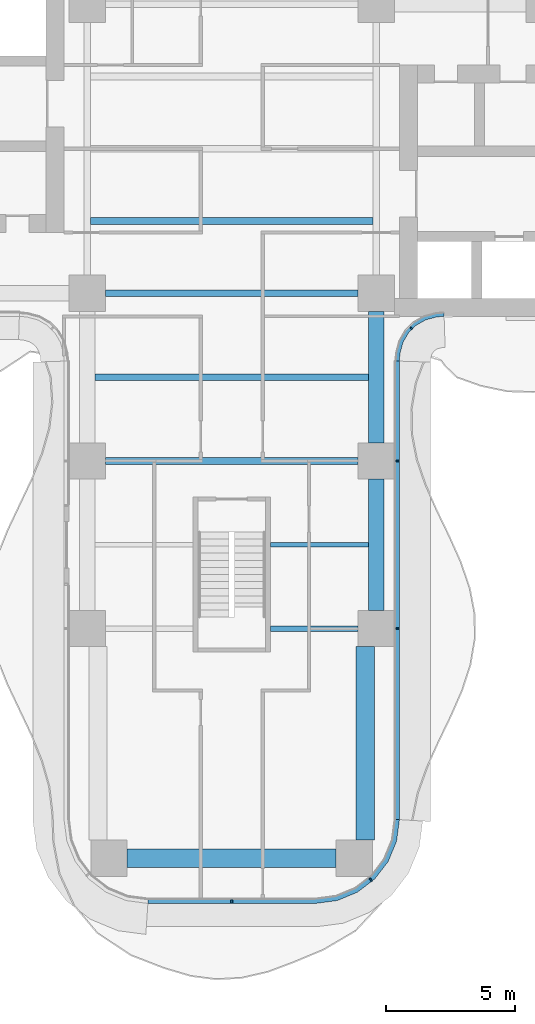
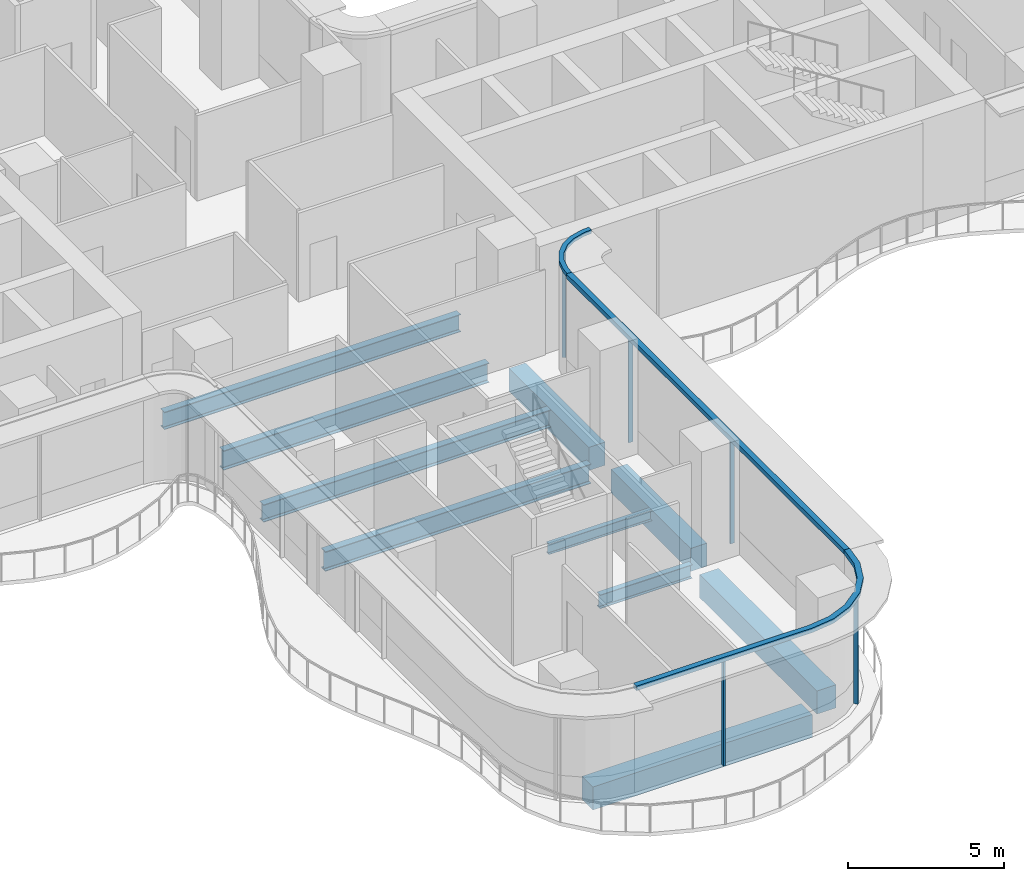
# One storey, part 5 of 22: 10 beams, 8 members, 3 elements without a shape of their own.
"""IFC4 building model written with IfcOpenShell, lengths in metres."""

from ifc_helpers import new_model, si_unit, direction, frame, origin, origin_2d, place, context, subcontext, project, spatial, polyline, rectangle, i_section, outline, extrude, source, transform, mapped, material, layer, layer_set, material_profile, profile_set, type_object, element, aggregate, save


model = new_model("IFC4")

# Units and contexts
model_context = context("Model", 3, precision=1e-05, world=origin(), true_north=direction((0.0, 1.0)))
body_context = subcontext(model_context, "Body", "Model", "MODEL_VIEW")
ifc_project = project(units=[si_unit("LENGTHUNIT", "METRE"), si_unit("AREAUNIT", "SQUARE_METRE"), si_unit("VOLUMEUNIT", "CUBIC_METRE"), si_unit("PLANEANGLEUNIT", "RADIAN"), si_unit("MASSUNIT", "GRAM", prefix="KILO")], contexts=[model_context])

# Site, building, storey
site_placement = place(None, origin())
site = spatial("IfcSite", under=ifc_project, at=site_placement, CompositionType="ELEMENT")
building_placement = place(site_placement, origin())
building = spatial("IfcBuilding", under=site, at=building_placement, Name="Trellis Farm Tower", CompositionType="ELEMENT")
storey_placement = place(building_placement, frame((0.0, 0.0, 65.5)))
storey = spatial("IfcBuildingStorey", under=building, at=storey_placement, Name="L13", CompositionType="ELEMENT", Elevation=65.5)

# Beams
ifc_material_1 = material(Name="Steel S355", Category="steel")
ifc_material_profile_1 = material_profile(ifc_material_1, i_section(OverallWidth=0.253662109375, OverallDepth=0.68359375, WebThickness=0.012451171875, FlangeThickness=0.021728515625, FilletRadius=0.01513671875, at=origin_2d()), Name="UB 686x254x140")
ifc_profile_set_1 = profile_set([ifc_material_profile_1], Name="Steel S355")
beam_type_1 = type_object("IfcBeamType", Name="UB 686x254x140 joist", PredefinedType="JOIST", material=ifc_profile_set_1)
shared_shape_1 = source(origin(), body_context, "Body", "SweptSolid", [
    extrude(i_section(OverallWidth=0.253662109375, OverallDepth=0.68359375, WebThickness=0.012451171875, FlangeThickness=0.021728515625, FilletRadius=0.01513671875, at=origin_2d()), origin(), (0.0, 0.0, 1.0), 10.93310546875),
])
beam_1_placement = place(storey_placement, frame((-5.466552734375, -2.800048828125, -0.591796875), z_axis=(1.0, 0.0, 0.0), x_axis=(0.0, 1.0, 0.0)))
element("IfcBeam", 1, at=beam_1_placement, inside=storey, type_object=beam_type_1, Name="Floor beam", PredefinedType="JOIST", context=body_context, shape_type="MappedRepresentation", body=[
    mapped(shared_shape_1, transform((0.0, 0.0, 0.0))),
])
ifc_material_profile_2 = material_profile(ifc_material_1, i_section(OverallWidth=0.209228515625, OverallDepth=0.533203125, WebThickness=0.010009765625, FlangeThickness=0.015625, FilletRadius=0.0126953125, at=origin_2d()), Name="UB 533x210x92")
ifc_profile_set_2 = profile_set([ifc_material_profile_2], Name="Steel S355")
beam_type_2 = type_object("IfcBeamType", Name="UB 533x210x92", PredefinedType="BEAM", material=ifc_profile_set_2)
shared_shape_2 = source(origin(), body_context, "Body", "SweptSolid", [
    extrude(i_section(OverallWidth=0.209228515625, OverallDepth=0.533203125, WebThickness=0.010009765625, FlangeThickness=0.015625, FilletRadius=0.0126953125, at=origin_2d()), origin(), (0.0, 0.0, 1.0), 3.39990234375),
])
beam_2_placement = place(storey_placement, frame((1.5, -18.60009765625, -0.5166015625), z_axis=(1.0, 0.0, 0.0), x_axis=(0.0, 1.0, 0.0)))
element("IfcBeam", 2, at=beam_2_placement, inside=storey, type_object=beam_type_2, Name="Girder", PredefinedType="BEAM", context=body_context, shape_type="MappedRepresentation", body=[
    mapped(shared_shape_2, transform((0.0, 0.0, 0.0))),
])
ifc_material_2 = material(Name="Concrete C60/75", Category="concrete")
ifc_material_profile_3 = material_profile(ifc_material_2, rectangle(XDim=0.60009765625, YDim=0.89990234375, at=origin_2d()), Name="RC spandrel beam 600x900 C60/75")
ifc_profile_set_3 = profile_set([ifc_material_profile_3], Name="Concrete C60/75")
beam_type_3 = type_object("IfcBeamType", Name="RC spandrel beam 600x900 C60/75", PredefinedType="SPANDREL", material=ifc_profile_set_3)
shared_shape_3 = source(origin(), body_context, "Body", "SweptSolid", [
    extrude(rectangle(XDim=0.60009765625, YDim=0.89990234375, at=origin_2d()), origin(), (0.0, 0.0, 1.0), 5.099853515625),
])
for number, where, z_axis, x_axis, name in (
    (3, (5.60009765625, -17.89990234375, -0.699951171875), (0.0, 1.0, 0.0), (-1.0, 0.0, 0.0), "Girder"),
    (4, (5.60009765625, -11.39990234375, -0.699951171875), (0.0, 1.0, 0.0), (-1.0, 0.0, 0.0), "Girder"),
):
    element("IfcBeam", number, at=place(storey_placement, frame(where, z_axis=z_axis, x_axis=x_axis)), inside=storey, type_object=beam_type_3, Name=name, PredefinedType="SPANDREL", context=body_context, shape_type="MappedRepresentation", body=[
        mapped(shared_shape_3, transform((0.0, 0.0, 0.0))),
    ])
ifc_material_profile_4 = material_profile(ifc_material_1, i_section(OverallWidth=0.2666015625, OverallDepth=0.76220703125, WebThickness=0.014404296875, FlangeThickness=0.021484375, FilletRadius=0.0166015625, at=origin_2d()), Name="UB 762x267x173")
ifc_profile_set_4 = profile_set([ifc_material_profile_4], Name="Steel S355")
beam_type_4 = type_object("IfcBeamType", Name="UB 762x267x173", PredefinedType="BEAM", material=ifc_profile_set_4)
shared_shape_4 = source(origin(), body_context, "Body", "SweptSolid", [
    extrude(i_section(OverallWidth=0.2666015625, OverallDepth=0.76220703125, WebThickness=0.014404296875, FlangeThickness=0.021484375, FilletRadius=0.0166015625, at=origin_2d()), origin(), (0.0, 0.0, 1.0), 9.7998046875),
])
for number, where, z_axis, x_axis, name in (
    (5, (-4.89990234375, -12.10009765625, -0.631103515625), (1.0, 0.0, 0.0), (0.0, 1.0, 0.0), "Girder"),
    (6, (-4.89990234375, -5.60009765625, -0.631103515625), (1.0, 0.0, 0.0), (0.0, 1.0, 0.0), "Girder"),
):
    element("IfcBeam", number, at=place(storey_placement, frame(where, z_axis=z_axis, x_axis=x_axis)), inside=storey, type_object=beam_type_4, Name=name, PredefinedType="BEAM", context=body_context, shape_type="MappedRepresentation", body=[
        mapped(shared_shape_4, transform((0.0, 0.0, 0.0))),
    ])
ifc_material_profile_5 = material_profile(ifc_material_2, rectangle(XDim=0.699951171875, YDim=0.89990234375, at=origin_2d()), Name="RC spandrel beam 700x900 C60/75")
ifc_profile_set_5 = profile_set([ifc_material_profile_5], Name="Concrete C60/75")
beam_type_5 = type_object("IfcBeamType", Name="RC spandrel beam 700x900 C60/75", PredefinedType="SPANDREL", material=ifc_profile_set_5)
shared_shape_5 = source(origin(), body_context, "Body", "SweptSolid", [
    extrude(rectangle(XDim=0.699951171875, YDim=0.89990234375, at=origin_2d()), origin(), (0.0, 0.0, 1.0), 8.10009765625),
])
beam_3_placement = place(storey_placement, frame((-4.050048828125, -27.5, -0.699951171875), z_axis=(1.0, 0.0, 0.0), x_axis=(0.0, 1.0, 0.0)))
element("IfcBeam", 7, at=beam_3_placement, inside=storey, type_object=beam_type_5, Name="Girder", PredefinedType="SPANDREL", context=body_context, shape_type="MappedRepresentation", body=[
    mapped(shared_shape_5, transform((0.0, 0.0, 0.0))),
])
shared_shape_6 = source(origin(), body_context, "Body", "SweptSolid", [
    extrude(rectangle(XDim=0.699951171875, YDim=0.89990234375, at=origin_2d()), origin(), (0.0, 0.0, 1.0), 7.5),
])
beam_4_placement = place(storey_placement, frame((5.175048828125, -26.800048828125, -0.699951171875), z_axis=(0.0, 1.0, 0.0), x_axis=(-1.0, 0.0, 0.0)))
element("IfcBeam", 8, at=beam_4_placement, inside=storey, type_object=beam_type_5, Name="Girder", PredefinedType="SPANDREL", context=body_context, shape_type="MappedRepresentation", body=[
    mapped(shared_shape_6, transform((0.0, 0.0, 0.0))),
])
ifc_material_profile_6 = material_profile(ifc_material_1, i_section(OverallWidth=0.177978515625, OverallDepth=0.406494140625, WebThickness=0.0078125, FlangeThickness=0.0126953125, FilletRadius=0.01025390625, at=origin_2d()), Name="UB 406x178x60")
ifc_profile_set_6 = profile_set([ifc_material_profile_6], Name="Steel S355")
beam_type_6 = type_object("IfcBeamType", Name="UB 406x178x60 joist", PredefinedType="JOIST", material=ifc_profile_set_6)
shared_shape_7 = source(origin(), body_context, "Body", "SweptSolid", [
    extrude(i_section(OverallWidth=0.177978515625, OverallDepth=0.406494140625, WebThickness=0.0078125, FlangeThickness=0.0126953125, FilletRadius=0.01025390625, at=origin_2d()), origin(), (0.0, 0.0, 1.0), 3.800048828125),
])
beam_5_placement = place(storey_placement, frame((1.5, -15.35009765625, -0.453125), z_axis=(1.0, 0.0, 0.0), x_axis=(0.0, 1.0, 0.0)))
element("IfcBeam", 9, at=beam_5_placement, inside=storey, type_object=beam_type_6, Name="Floor beam", PredefinedType="JOIST", context=body_context, shape_type="MappedRepresentation", body=[
    mapped(shared_shape_7, transform((0.0, 0.0, 0.0))),
])
shared_shape_8 = source(origin(), body_context, "Body", "SweptSolid", [
    extrude(i_section(OverallWidth=0.253662109375, OverallDepth=0.68359375, WebThickness=0.012451171875, FlangeThickness=0.021728515625, FilletRadius=0.01513671875, at=origin_2d()), origin(), (0.0, 0.0, 1.0), 10.60009765625),
])
beam_6_placement = place(storey_placement, frame((-5.300048828125, -8.85009765625, -0.591796875), z_axis=(1.0, 0.0, 0.0), x_axis=(0.0, 1.0, 0.0)))
element("IfcBeam", 10, at=beam_6_placement, inside=storey, type_object=beam_type_1, Name="Floor beam", PredefinedType="JOIST", context=body_context, shape_type="MappedRepresentation", body=[
    mapped(shared_shape_8, transform((0.0, 0.0, 0.0))),
])

# Curtain wall, members
ifc_material_3 = material(Name="Aluminium and glass curtain wall", Category="aluminium")
ifc_layer_1 = layer(ifc_material_3, 0.18994140625)
ifc_layer_set_1 = layer_set([ifc_layer_1], Name="RIBBON CURTAIN WALL CW1")
curtain_wall_type_1 = type_object("IfcCurtainWallType", Name="RIBBON CURTAIN WALL CW1", PredefinedType="NOTDEFINED", material=ifc_layer_set_1)
placement_1 = place(storey_placement, origin())
curtain_wall_1 = element("IfcCurtainWall", 11, at=placement_1, inside=storey, type_object=curtain_wall_type_1, Name="CW1 004", PredefinedType="NOTDEFINED")
ifc_material_4 = material(Name="Aluminium extrusion 6063-T6", Category="aluminium")
ifc_material_profile_7 = material_profile(ifc_material_4, rectangle(XDim=0.06005859375, YDim=0.14990234375, at=origin_2d()), Name="MULLION 60x150")
ifc_profile_set_7 = profile_set([ifc_material_profile_7], Name="Aluminium extrusion 6063-T6")
member_type_1 = type_object("IfcMemberType", Name="CW1 MULLION 60x150", PredefinedType="MULLION", material=ifc_profile_set_7)
shared_shape_9 = source(origin(), body_context, "Body", "SweptSolid", [
    extrude(rectangle(XDim=0.06005859375, YDim=0.14990234375, at=origin_2d()), origin(), (0.0, 0.0, 1.0), 4.070068359375),
])
member_1_placement = place(storey_placement, frame((0.0, -29.175048828125, 0.0), z_axis=(0.0, 0.0, 1.0), x_axis=(1.0, 0.0, 0.0)))
member_1 = element("IfcMember", 12, at=member_1_placement, type_object=member_type_1, Name="MU1 004-01", PredefinedType="MULLION", context=body_context, shape_type="MappedRepresentation", body=[
    mapped(shared_shape_9, transform((0.0, 0.0, 0.0))),
])
member_2_placement = place(storey_placement, frame((5.385498046875, -28.328369140625, 0.0), z_axis=(0.0, 0.0, 1.0), x_axis=(0.793353340291, 0.608761429009, 0.0)))
member_2 = element("IfcMember", 13, at=member_2_placement, type_object=member_type_1, Name="MU1 004-02", PredefinedType="MULLION", context=body_context, shape_type="MappedRepresentation", body=[
    mapped(shared_shape_9, transform((0.0, 0.0, 0.0))),
])

curtain_wall_2 = element("IfcCurtainWall", 14, at=placement_1, inside=storey, type_object=curtain_wall_type_1, Name="CW1 005", PredefinedType="NOTDEFINED")
member_3_placement = place(storey_placement, frame((6.425048828125, -18.60009765625, 0.0), z_axis=(0.0, 0.0, 1.0), x_axis=(0.0, 1.0, 0.0)))
member_3 = element("IfcMember", 15, at=member_3_placement, type_object=member_type_1, Name="MU1 005-01", PredefinedType="MULLION", context=body_context, shape_type="MappedRepresentation", body=[
    mapped(shared_shape_9, transform((0.0, 0.0, 0.0))),
])
member_4_placement = place(storey_placement, frame((6.425048828125, -12.10009765625, 0.0), z_axis=(0.0, 0.0, 1.0), x_axis=(0.0, 1.0, 0.0)))
member_4 = element("IfcMember", 16, at=member_4_placement, type_object=member_type_1, Name="MU1 005-02", PredefinedType="MULLION", context=body_context, shape_type="MappedRepresentation", body=[
    mapped(shared_shape_9, transform((0.0, 0.0, 0.0))),
])

# Curtain wall, member
ifc_layer_2 = layer(ifc_material_3, 0.166015625)
ifc_layer_set_2 = layer_set([ifc_layer_2], Name="WINTER GARDEN CURTAIN WALL CW3")
curtain_wall_type_2 = type_object("IfcCurtainWallType", Name="WINTER GARDEN CURTAIN WALL CW3", PredefinedType="NOTDEFINED", material=ifc_layer_set_2)
curtain_wall_3 = element("IfcCurtainWall", 17, at=placement_1, inside=storey, type_object=curtain_wall_type_2, Name="CW3 002", PredefinedType="NOTDEFINED")
ifc_material_profile_8 = material_profile(ifc_material_4, rectangle(XDim=0.050048828125, YDim=0.1201171875, at=origin_2d()), Name="MULLION 50x120")
ifc_profile_set_8 = profile_set([ifc_material_profile_8], Name="Aluminium extrusion 6063-T6")
member_type_2 = type_object("IfcMemberType", Name="CW3 MULLION 50x120", PredefinedType="MULLION", material=ifc_profile_set_8)
shared_shape_10 = source(origin(), body_context, "Body", "SweptSolid", [
    extrude(rectangle(XDim=0.050048828125, YDim=0.1201171875, at=origin_2d()), origin(), (0.0, 0.0, 1.0), 4.10009765625),
])
member_5_placement = place(storey_placement, frame((6.953125, -6.953125, 0.0), z_axis=(0.0, 0.0, 1.0), x_axis=(0.707106781187, 0.707106781187, 0.0)))
member_5 = element("IfcMember", 18, at=member_5_placement, type_object=member_type_2, Name="MU3 002-01", PredefinedType="MULLION", context=body_context, shape_type="MappedRepresentation", body=[
    mapped(shared_shape_10, transform((0.0, 0.0, 0.0))),
])

# Member
ifc_layer_3 = layer(ifc_material_4, 0.199951171875)
ifc_layer_set_3 = layer_set([ifc_layer_3], Name="Aluminium extrusion 6063-T6")
member_type_3 = type_object("IfcMemberType", Name="CW1 TRANSOM 200x180", PredefinedType="USERDEFINED", material=ifc_layer_set_3)
shared_shape_11 = source(origin(), body_context, "Body", "SweptSolid", [
    extrude(outline(polyline([(-3.25, -29.25), (3.25, -29.25), (4.091064453125, -29.13916015625), (4.875, -28.814697265625), (5.548095703125, -28.298095703125), (6.064697265625, -27.625), (6.38916015625, -26.841064453125), (6.5, -26.0), (6.300048828125, -25.98681640625), (6.1943359375, -26.7890625), (5.889892578125, -27.524169921875), (5.405517578125, -28.155517578125), (4.774169921875, -28.639892578125), (4.0390625, -28.9443359375), (3.23681640625, -29.050048828125), (-3.23681640625, -29.050048828125), (-3.25, -29.25)])), origin(), (0.0, 0.0, 1.0), 0.179931640625),
])
placement_2 = place(storey_placement, frame((0.0, 0.0, 4.070068359375)))
member_6 = element("IfcMember", 19, at=placement_2, type_object=member_type_3, Name="TR1 004", ObjectType="TRANSOM", PredefinedType="USERDEFINED", context=body_context, shape_type="MappedRepresentation", body=[
    mapped(shared_shape_11, transform((0.0, 0.0, 0.0))),
])

aggregate(curtain_wall_1, [member_1, member_2, member_6])

shared_shape_12 = source(origin(), body_context, "Body", "SweptSolid", [
    extrude(outline(polyline([(6.5, -26.0), (6.5, -8.2314453125), (6.300048828125, -8.224853515625), (6.300048828125, -25.98681640625), (6.5, -26.0)])), origin(), (0.0, 0.0, 1.0), 0.179931640625),
])
member_7 = element("IfcMember", 20, at=placement_2, type_object=member_type_3, Name="TR1 005", ObjectType="TRANSOM", PredefinedType="USERDEFINED", context=body_context, shape_type="MappedRepresentation", body=[
    mapped(shared_shape_12, transform((0.0, 0.0, 0.0))),
])

aggregate(curtain_wall_2, [member_3, member_4, member_7])

ifc_layer_4 = layer(ifc_material_4, 0.169921875)
ifc_layer_set_4 = layer_set([ifc_layer_4], Name="Aluminium extrusion 6063-T6")
member_type_4 = type_object("IfcMemberType", Name="CW3 TRANSOM 170x150", PredefinedType="USERDEFINED", material=ifc_layer_set_4)
shared_shape_13 = source(origin(), body_context, "Body", "SweptSolid", [
    extrude(outline(polyline([(6.5, -8.2314453125), (6.513916015625, -8.01953125), (6.527587890625, -7.91552734375), (6.63671875, -7.508544921875), (6.846923828125, -7.144287109375), (7.144287109375, -6.846923828125), (7.508544921875, -6.63671875), (7.91552734375, -6.527587890625), (8.01953125, -6.513916015625), (8.2314453125, -6.5), (8.225830078125, -6.330078125), (8.0029296875, -6.3447265625), (7.88232421875, -6.360595703125), (7.44287109375, -6.478271484375), (7.0400390625, -6.7109375), (6.7109375, -7.0400390625), (6.478271484375, -7.44287109375), (6.360595703125, -7.88232421875), (6.3447265625, -8.0029296875), (6.330078125, -8.225830078125), (6.5, -8.2314453125)])), origin(), (0.0, 0.0, 1.0), 0.14990234375),
])
member_8_placement = place(storey_placement, frame((0.0, 0.0, 4.10009765625)))
member_8 = element("IfcMember", 21, at=member_8_placement, type_object=member_type_4, Name="TR3 002", ObjectType="TRANSOM", PredefinedType="USERDEFINED", context=body_context, shape_type="MappedRepresentation", body=[
    mapped(shared_shape_13, transform((0.0, 0.0, 0.0))),
])

aggregate(curtain_wall_3, [member_5, member_8])

save(model, "model.ifc")
